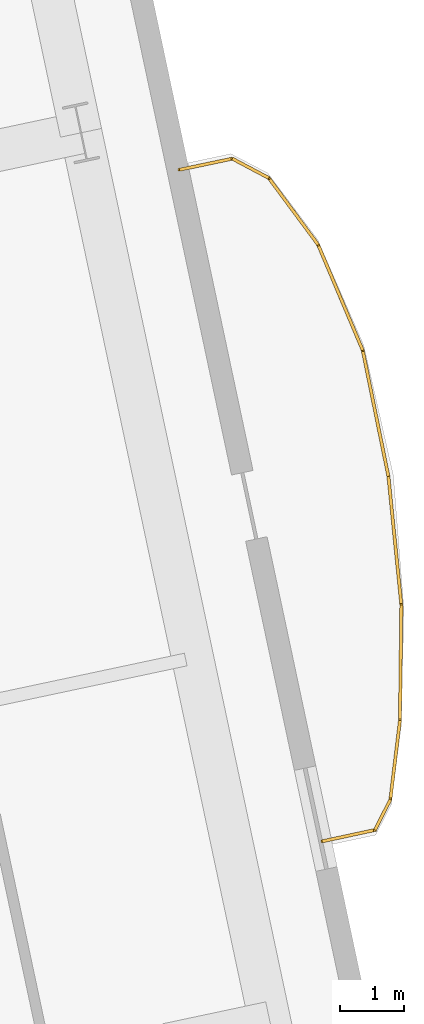
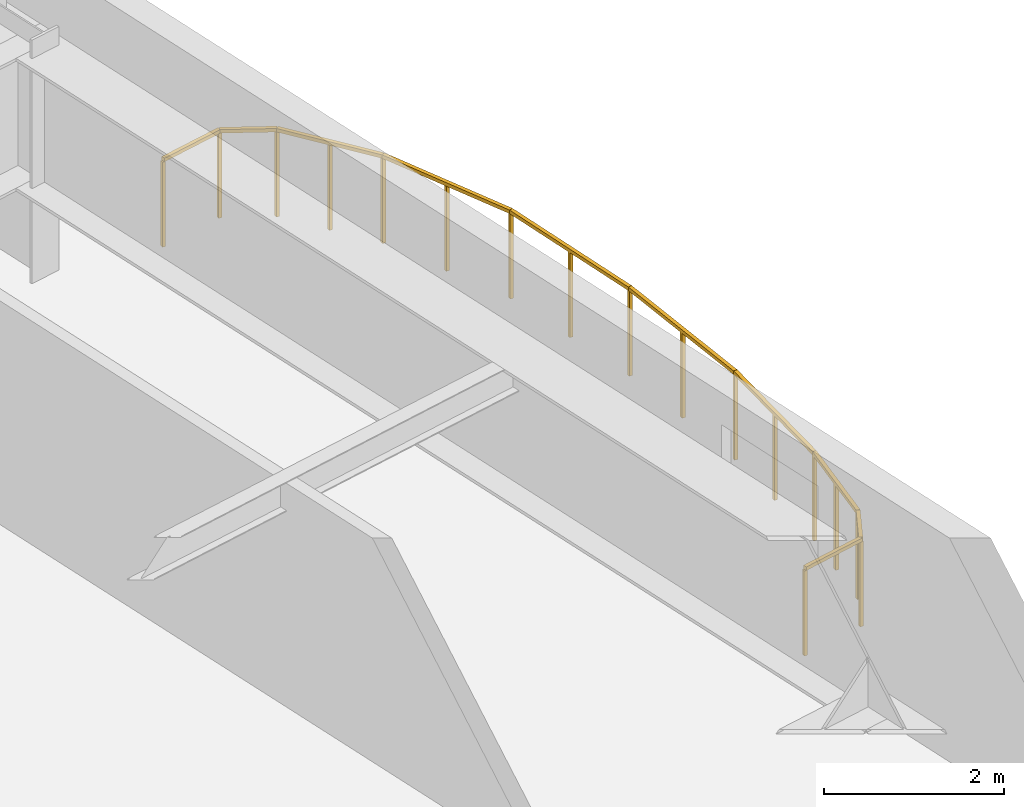
# One storey, part 18 of 18: 10 railings.
"""IFC4 building model written with IfcOpenShell, lengths in metres."""

from ifc_helpers import new_model, si_unit, direction, frame, origin, origin_2d, place, context, subcontext, project, spatial, rectangle, extrude, material, type_object, element, save


model = new_model("IFC4")

# Units and contexts
model_context = context("Model", 3, precision=1e-05, world=origin(), true_north=direction((0.0, 1.0)))
body_context = subcontext(model_context, "Body", "Model", "MODEL_VIEW")
ifc_project = project(units=[si_unit("LENGTHUNIT", "METRE"), si_unit("AREAUNIT", "SQUARE_METRE"), si_unit("VOLUMEUNIT", "CUBIC_METRE"), si_unit("PLANEANGLEUNIT", "RADIAN"), si_unit("MASSUNIT", "GRAM", prefix="KILO")], contexts=[model_context])

# Site, building, storey
site_placement = place(None, origin())
site = spatial("IfcSite", under=ifc_project, at=site_placement, CompositionType="ELEMENT")
building_placement = place(site_placement, origin())
building = spatial("IfcBuilding", under=site, at=building_placement, Name="Haevon Station Towers", CompositionType="ELEMENT")
storey_placement = place(building_placement, frame((0.0, 0.0, 47.10009765625)))
storey = spatial("IfcBuildingStorey", under=building, at=storey_placement, Name="L11", CompositionType="ELEMENT", Elevation=47.10009765625)

# Railings
ifc_material = material(Name="Steel S355", Category="steel")
railing_type = type_object("IfcRailingType", Name="GRD-EXT1200", PredefinedType="GUARDRAIL", material=ifc_material)
railing_1_placement = place(storey_placement, frame((138.470703125, 28.175537109375, 0.0)))
element("IfcRailing", 1, at=railing_1_placement, inside=storey, type_object=railing_type, Name="L11 Perimeter Guardrail 1", PredefinedType="GUARDRAIL", context=body_context, shape_type="SweptSolid", body=[
    extrude(rectangle(XDim=0.048095703125, YDim=0.048095703125, at=origin_2d()), frame((0.0, 0.0, 1.17578125), z_axis=(0.97761867619, 0.210384704682, 0.0), x_axis=(-0.210384704682, 0.97761867619, 0.0)), (0.0, 0.0, 1.0), 0.837890625),
    extrude(rectangle(XDim=0.0419921875, YDim=0.0419921875, at=origin_2d()), origin(), (0.0, 0.0, 1.0), 1.15185546875),
    extrude(rectangle(XDim=0.0419921875, YDim=0.0419921875, at=origin_2d()), frame((0.819091796875, 0.17626953125, 0.0)), (0.0, 0.0, 1.0), 1.15185546875),
])
railing_2_placement = place(storey_placement, frame((139.289794921875, 28.351806640625, 0.0)))
element("IfcRailing", 2, at=railing_2_placement, inside=storey, type_object=railing_type, Name="L11 Perimeter Guardrail 2", PredefinedType="GUARDRAIL", context=body_context, shape_type="SweptSolid", body=[
    extrude(rectangle(XDim=0.048095703125, YDim=0.048095703125, at=origin_2d()), frame((0.0, 0.0, 1.17578125), z_axis=(0.450727105376, 0.892661792886, 0.0), x_axis=(-0.892661792886, 0.450727105376, 0.0)), (0.0, 0.0, 1.0), 0.527587890625),
    extrude(rectangle(XDim=0.0419921875, YDim=0.0419921875, at=origin_2d()), origin(), (0.0, 0.0, 1.0), 1.15185546875),
    extrude(rectangle(XDim=0.0419921875, YDim=0.0419921875, at=origin_2d()), frame((0.23779296875, 0.470947265625, 0.0)), (0.0, 0.0, 1.0), 1.15185546875),
])
railing_3_placement = place(storey_placement, frame((139.527587890625, 28.82275390625, 0.0)))
element("IfcRailing", 3, at=railing_3_placement, inside=storey, type_object=railing_type, Name="L11 Perimeter Guardrail 3", PredefinedType="GUARDRAIL", context=body_context, shape_type="SweptSolid", body=[
    extrude(rectangle(XDim=0.048095703125, YDim=0.048095703125, at=origin_2d()), frame((0.0, 0.0, 1.17578125), z_axis=(0.120390307744, 0.992726635989, 0.0), x_axis=(-0.992726635989, 0.120390307744, 0.0)), (0.0, 0.0, 1.0), 1.237060546875),
    extrude(rectangle(XDim=0.0419921875, YDim=0.0419921875, at=origin_2d()), origin(), (0.0, 0.0, 1.0), 1.15185546875),
    extrude(rectangle(XDim=0.0419921875, YDim=0.0419921875, at=origin_2d()), frame((0.074462890625, 0.614013671875, 0.0)), (0.0, 0.0, 1.0), 1.15185546875),
    extrude(rectangle(XDim=0.0419921875, YDim=0.0419921875, at=origin_2d()), frame((0.14892578125, 1.22802734375, 0.0)), (0.0, 0.0, 1.0), 1.15185546875),
])
railing_4_placement = place(storey_placement, frame((139.676513671875, 30.05078125, 0.0)))
element("IfcRailing", 4, at=railing_4_placement, inside=storey, type_object=railing_type, Name="L11 Perimeter Guardrail 4", PredefinedType="GUARDRAIL", context=body_context, shape_type="SweptSolid", body=[
    extrude(rectangle(XDim=0.048095703125, YDim=0.048095703125, at=origin_2d()), frame((0.0, 0.0, 1.17578125), z_axis=(0.011855258379, 0.999929723955, 0.0), x_axis=(-0.999929723955, 0.011855258379, 0.0)), (0.0, 0.0, 1.0), 1.791748046875),
    extrude(rectangle(XDim=0.0419921875, YDim=0.0419921875, at=origin_2d()), origin(), (0.0, 0.0, 1.0), 1.15185546875),
    extrude(rectangle(XDim=0.0419921875, YDim=0.0419921875, at=origin_2d()), frame((0.0107421875, 0.895751953125, 0.0)), (0.0, 0.0, 1.0), 1.15185546875),
    extrude(rectangle(XDim=0.0419921875, YDim=0.0419921875, at=origin_2d()), frame((0.021240234375, 1.79150390625, 0.0)), (0.0, 0.0, 1.0), 1.15185546875),
])
railing_5_placement = place(storey_placement, frame((139.69775390625, 31.84228515625, 0.0)))
element("IfcRailing", 5, at=railing_5_placement, inside=storey, type_object=railing_type, Name="L11 Perimeter Guardrail 5", PredefinedType="GUARDRAIL", context=body_context, shape_type="SweptSolid", body=[
    extrude(rectangle(XDim=0.048095703125, YDim=0.048095703125, at=origin_2d()), frame((0.0, 0.0, 1.17578125), z_axis=(-0.100083047105, 0.994979087058, 0.0), x_axis=(-0.994979087058, -0.100083047105, 0.0)), (0.0, 0.0, 1.0), 2.002685546875),
    extrude(rectangle(XDim=0.0419921875, YDim=0.0419921875, at=origin_2d()), origin(), (0.0, 0.0, 1.0), 1.15185546875),
    extrude(rectangle(XDim=0.0419921875, YDim=0.0419921875, at=origin_2d()), frame((-0.10009765625, 0.996337890625, 0.0)), (0.0, 0.0, 1.0), 1.15185546875),
    extrude(rectangle(XDim=0.0419921875, YDim=0.0419921875, at=origin_2d()), frame((-0.200439453125, 1.99267578125, 0.0)), (0.0, 0.0, 1.0), 1.15185546875),
])
railing_6_placement = place(storey_placement, frame((139.497314453125, 33.8349609375, 0.0)))
element("IfcRailing", 6, at=railing_6_placement, inside=storey, type_object=railing_type, Name="L11 Perimeter Guardrail 6", PredefinedType="GUARDRAIL", context=body_context, shape_type="SweptSolid", body=[
    extrude(rectangle(XDim=0.048095703125, YDim=0.048095703125, at=origin_2d()), frame((0.0, 0.0, 1.17578125), z_axis=(-0.199693738527, 0.979858362618, 0.0), x_axis=(-0.979858362618, -0.199693738527, 0.0)), (0.0, 0.0, 1.0), 1.994140625),
    extrude(rectangle(XDim=0.0419921875, YDim=0.0419921875, at=origin_2d()), origin(), (0.0, 0.0, 1.0), 1.15185546875),
    extrude(rectangle(XDim=0.0419921875, YDim=0.0419921875, at=origin_2d()), frame((-0.19921875, 0.97705078125, 0.0)), (0.0, 0.0, 1.0), 1.15185546875),
    extrude(rectangle(XDim=0.0419921875, YDim=0.0419921875, at=origin_2d()), frame((-0.398193359375, 1.953857421875, 0.0)), (0.0, 0.0, 1.0), 1.15185546875),
])
railing_7_placement = place(storey_placement, frame((139.09912109375, 35.788818359375, 0.0)))
element("IfcRailing", 7, at=railing_7_placement, inside=storey, type_object=railing_type, Name="L11 Perimeter Guardrail 7", PredefinedType="GUARDRAIL", context=body_context, shape_type="SweptSolid", body=[
    extrude(rectangle(XDim=0.048095703125, YDim=0.048095703125, at=origin_2d()), frame((0.0, 0.0, 1.17578125), z_axis=(-0.389272522914, 0.921122631849, 0.0), x_axis=(-0.921122631849, -0.389272522914, 0.0)), (0.0, 0.0, 1.0), 1.77734375),
    extrude(rectangle(XDim=0.0419921875, YDim=0.0419921875, at=origin_2d()), origin(), (0.0, 0.0, 1.0), 1.15185546875),
    extrude(rectangle(XDim=0.0419921875, YDim=0.0419921875, at=origin_2d()), frame((-0.345947265625, 0.818603515625, 0.0)), (0.0, 0.0, 1.0), 1.15185546875),
    extrude(rectangle(XDim=0.0419921875, YDim=0.0419921875, at=origin_2d()), frame((-0.69189453125, 1.63720703125, 0.0)), (0.0, 0.0, 1.0), 1.15185546875),
])
railing_8_placement = place(storey_placement, frame((138.4072265625, 37.426025390625, 0.0)))
element("IfcRailing", 8, at=railing_8_placement, inside=storey, type_object=railing_type, Name="L11 Perimeter Guardrail 8", PredefinedType="GUARDRAIL", context=body_context, shape_type="SweptSolid", body=[
    extrude(rectangle(XDim=0.048095703125, YDim=0.048095703125, at=origin_2d()), frame((0.0, 0.0, 1.17578125), z_axis=(-0.594545936574, 0.804061645213, 0.0), x_axis=(-0.804061645213, -0.594545936574, 0.0)), (0.0, 0.0, 1.0), 1.285400390625),
    extrude(rectangle(XDim=0.0419921875, YDim=0.0419921875, at=origin_2d()), origin(), (0.0, 0.0, 1.0), 1.15185546875),
    extrude(rectangle(XDim=0.0419921875, YDim=0.0419921875, at=origin_2d()), frame((-0.382080078125, 0.5166015625, 0.0)), (0.0, 0.0, 1.0), 1.15185546875),
    extrude(rectangle(XDim=0.0419921875, YDim=0.0419921875, at=origin_2d()), frame((-0.76416015625, 1.033447265625, 0.0)), (0.0, 0.0, 1.0), 1.15185546875),
])
railing_9_placement = place(storey_placement, frame((137.64306640625, 38.45947265625, 0.0)))
element("IfcRailing", 9, at=railing_9_placement, inside=storey, type_object=railing_type, Name="L11 Perimeter Guardrail 9", PredefinedType="GUARDRAIL", context=body_context, shape_type="SweptSolid", body=[
    extrude(rectangle(XDim=0.048095703125, YDim=0.048095703125, at=origin_2d()), frame((0.0, 0.0, 1.17578125), z_axis=(-0.883174960407, 0.469043696589, 0.0), x_axis=(-0.469043696589, -0.883174960407, 0.0)), (0.0, 0.0, 1.0), 0.64013671875),
    extrude(rectangle(XDim=0.0419921875, YDim=0.0419921875, at=origin_2d()), origin(), (0.0, 0.0, 1.0), 1.15185546875),
    extrude(rectangle(XDim=0.0419921875, YDim=0.0419921875, at=origin_2d()), frame((-0.5654296875, 0.30029296875, 0.0)), (0.0, 0.0, 1.0), 1.15185546875),
])
railing_10_placement = place(storey_placement, frame((137.07763671875, 38.759765625, 0.0)))
element("IfcRailing", 10, at=railing_10_placement, inside=storey, type_object=railing_type, Name="L11 Perimeter Guardrail 10", PredefinedType="GUARDRAIL", context=body_context, shape_type="SweptSolid", body=[
    extrude(rectangle(XDim=0.048095703125, YDim=0.048095703125, at=origin_2d()), frame((0.0, 0.0, 1.17578125), z_axis=(-0.978617737227, -0.20568744343, 0.0), x_axis=(0.20568744343, -0.978617737227, 0.0)), (0.0, 0.0, 1.0), 0.837890625),
    extrude(rectangle(XDim=0.0419921875, YDim=0.0419921875, at=origin_2d()), origin(), (0.0, 0.0, 1.0), 1.15185546875),
    extrude(rectangle(XDim=0.0419921875, YDim=0.0419921875, at=origin_2d()), frame((-0.820068359375, -0.17236328125, 0.0)), (0.0, 0.0, 1.0), 1.15185546875),
])

save(model, "model.ifc")
